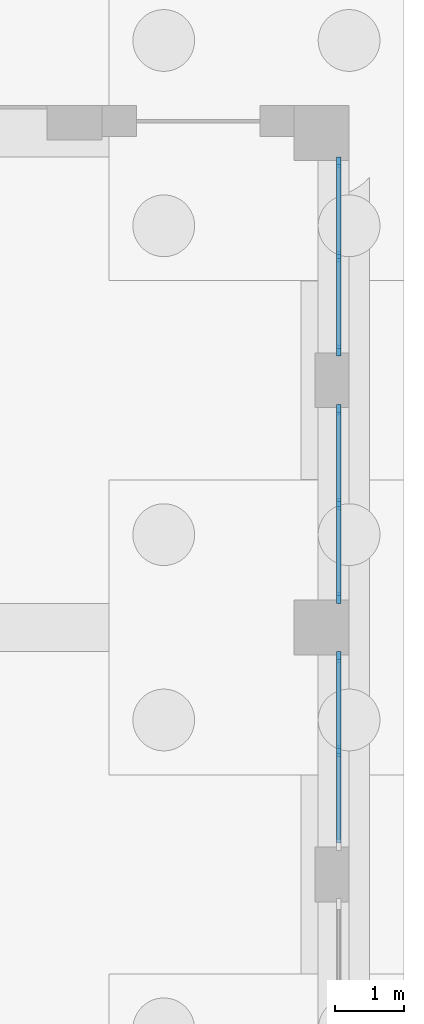
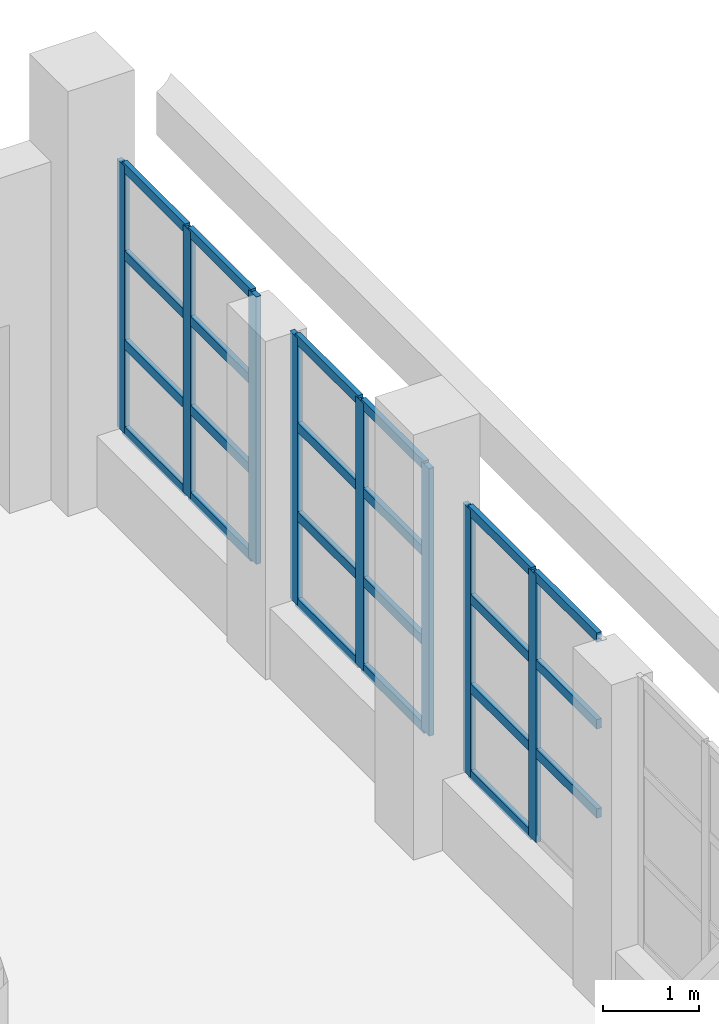
# One storey, part 19 of 80: 31 members, 3 elements without a shape of their own.
"""IFC4 building model written with IfcOpenShell, lengths in metres."""

import ifcopenshell
import ifcopenshell.guid

model = None  # the IFC model being written
_history = None  # IfcOwnerHistory: only IFC2X3 demands one
_inside = {}  # id of a spatial element -> (the spatial element, [elements in it])
_under = {}  # id of a project, library or spatial element -> (it, [spatial elements below it])
_declared = {}  # id of a project -> (the project, [libraries it declares])
_typed = {}  # id of a type object -> (the type object, [elements of that type])
_made_of = {}  # id of a material, layer set ... -> (it, [elements and type objects made of it])


def new_model(schema):
    """Start an empty IFC model of exactly this schema.

    Asked for "IFC4X3", IfcOpenShell would pick the latest addendum, in which some entities
    have other attributes; the version numbers below select the first issue.
    IFC2X3 requires an IfcOwnerHistory on every rooted entity: one is made here for all.
    """
    global model, _history
    if schema == "IFC4X3":
        model = ifcopenshell.file(schema_version=(4, 3, 0, 0))
    else:
        model = ifcopenshell.file(schema=schema)
    _inside.clear()
    _under.clear()
    _declared.clear()
    _typed.clear()
    _made_of.clear()
    _history = None
    if model.schema == "IFC2X3":
        org = make("IfcOrganization", Name="unknown")
        user = make(
            "IfcPersonAndOrganization",
            ThePerson=make("IfcPerson", FamilyName="unknown"),
            TheOrganization=org,
        )
        app = make(
            "IfcApplication",
            ApplicationDeveloper=org,
            Version="unknown",
            ApplicationFullName="unknown",
            ApplicationIdentifier="unknown",
        )
        _history = make(
            "IfcOwnerHistory",
            OwningUser=user,
            OwningApplication=app,
            ChangeAction="ADDED",
            CreationDate=0,
        )
    return model


def make(cls, **values):
    """One entity of the class cls with the attributes given. An attribute that is None is left unset."""
    return model.create_entity(
        cls, **{name: value for name, value in values.items() if value is not None}
    )


def rooted(cls, **values):
    """An entity with a GlobalId (a new one), such as an element, a storey or a relation."""
    return make(cls, GlobalId=ifcopenshell.guid.new(), OwnerHistory=_history, **values)


def si_unit(unit_type, name, prefix=None):
    """IfcSIUnit, for example si_unit("LENGTHUNIT", "METRE", prefix="MILLI")."""
    return make("IfcSIUnit", UnitType=unit_type, Prefix=prefix, Name=name)


def assignment(units):
    """IfcUnitAssignment: the units of a project."""
    return None if units is None else make("IfcUnitAssignment", Units=units)


def point(xyz):
    """IfcCartesianPoint."""
    return None if xyz is None else make("IfcCartesianPoint", Coordinates=xyz)


def direction(xyz):
    """IfcDirection."""
    return None if xyz is None else make("IfcDirection", DirectionRatios=xyz)


def frame(location, z_axis=None, x_axis=None):
    """IfcAxis2Placement3D, a coordinate frame: its origin and axes. An axis left out is left unset."""
    return make(
        "IfcAxis2Placement3D",
        Location=point(location),
        Axis=direction(z_axis),
        RefDirection=direction(x_axis),
    )


def frame_2d(location, x_axis=None):
    """IfcAxis2Placement2D, a coordinate frame in the plane: its origin and x axis."""
    return make(
        "IfcAxis2Placement2D", Location=point(location), RefDirection=direction(x_axis)
    )


def origin():
    """The frame at (0, 0, 0) with its axes left unset."""
    return frame((0.0, 0.0, 0.0))


def origin_2d():
    """The frame at (0, 0) in the plane with its x axis left unset."""
    return frame_2d((0.0, 0.0))


def place(relative_to, where):
    """IfcLocalPlacement: puts the frame where relative to a parent placement (None: the world)."""
    return make(
        "IfcLocalPlacement", PlacementRelTo=relative_to, RelativePlacement=where
    )


def context(
    kind, dimensions, precision=None, world=None, true_north=None, identifier=None
):
    """IfcGeometricRepresentationContext, for example the 3D "Model" context."""
    return make(
        "IfcGeometricRepresentationContext",
        ContextIdentifier=identifier,
        ContextType=kind,
        CoordinateSpaceDimension=dimensions,
        Precision=precision,
        WorldCoordinateSystem=world,
        TrueNorth=true_north,
    )


def subcontext(parent, identifier, kind, view, scale=None):
    """IfcGeometricRepresentationSubContext, for example "Body" below "Model"."""
    return make(
        "IfcGeometricRepresentationSubContext",
        ContextIdentifier=identifier,
        ContextType=kind,
        ParentContext=parent,
        TargetScale=scale,
        TargetView=view,
    )


def project(units=None, contexts=None):
    """IfcProject with its units and contexts."""
    return rooted(
        "IfcProject",
        Name="project",
        RepresentationContexts=contexts,
        UnitsInContext=assignment(units),
    )


def spatial(cls, under=None, at=None, **own):
    """A site, building, storey or space (cls), placed at a placement, below another one or the project."""
    s = rooted(cls, ObjectPlacement=at, **own)
    if under is not None:
        _under.setdefault(under.id(), (under, []))[1].append(s)
    return s


def profile(cls, at=None, kind="AREA", **sizes):
    """A parametric profile (cls). Its sizes go by their IFC names, for example OverallWidth=200.0."""
    return make(cls, ProfileType=kind, Position=at, **sizes)


def rectangle(**sizes):
    """IfcRectangleProfileDef."""
    return profile("IfcRectangleProfileDef", **sizes)


def extrude(swept, where, along, depth):
    """IfcExtrudedAreaSolid: the profile swept, set in the frame where, extruded along a direction by depth."""
    return make(
        "IfcExtrudedAreaSolid",
        SweptArea=swept,
        Position=where,
        ExtrudedDirection=direction(along),
        Depth=depth,
    )


def shape(context_of_items, identifier, shape_type, items):
    """IfcShapeRepresentation: the items that make up one representation, for example the "Body"."""
    return make(
        "IfcShapeRepresentation",
        ContextOfItems=context_of_items,
        RepresentationIdentifier=identifier,
        RepresentationType=shape_type,
        Items=items,
    )


def material(Name=None, Category=None):
    """IfcMaterial."""
    return make("IfcMaterial", Name=Name, Category=Category)


def layer(
    of_material, thickness, ventilated=None, Name=None, Category=None, Priority=None
):
    """IfcMaterialLayer: one layer of a wall or slab, of a material (None: an air gap)."""
    return make(
        "IfcMaterialLayer",
        Material=of_material,
        LayerThickness=thickness,
        IsVentilated=ventilated,
        Name=Name,
        Category=Category,
        Priority=Priority,
    )


def layer_set(layers, Name=None):
    """IfcMaterialLayerSet."""
    return make("IfcMaterialLayerSet", MaterialLayers=layers, LayerSetName=Name)


def material_profile(
    of_material, cross_section, Name=None, Category=None, Priority=None
):
    """IfcMaterialProfile: a cross section and its material."""
    return make(
        "IfcMaterialProfile",
        Name=Name,
        Material=of_material,
        Profile=cross_section,
        Priority=Priority,
        Category=Category,
    )


def profile_set(profiles, Name=None, composite=None):
    """IfcMaterialProfileSet."""
    return make(
        "IfcMaterialProfileSet",
        Name=Name,
        MaterialProfiles=profiles,
        CompositeProfile=composite,
    )


def made_of(thing, what):
    """Note that an element or type object is made of a material, layer set ...; save() writes the relation."""
    if what is not None:
        _made_of.setdefault(what.id(), (what, []))[1].append(thing)
    return thing


def type_object(cls, material=None, **own):
    """A type object (cls), such as IfcWallType, which elements share."""
    return made_of(rooted(cls, **own), material)


def element(
    cls,
    number,
    at=None,
    inside=None,
    cuts=None,
    type_object=None,
    material=None,
    context=None,
    identifier="Body",
    shape_type=None,
    held_by="IfcProductDefinitionShape",
    body=None,
    shapes=None,
    **own,
):
    """One element of the class cls, such as IfcWall. Its Tag is "e" and its number.

    at: its placement. inside: the storey or other place that contains it. cuts: it is an
    opening in that element (IfcRelVoidsElement). A single representation is given by context,
    identifier, shape_type and body (its items); several are given by shapes. held_by: the class
    of the entity that holds the representations. save() writes the other relations.
    """
    e = rooted(cls, Tag="e%d" % number, ObjectPlacement=at, **own)
    if body is not None:
        shapes = [shape(context, identifier, shape_type, body)]
    if shapes is not None:
        e.Representation = make(held_by, Representations=shapes)
    if inside is not None:
        _inside.setdefault(inside.id(), (inside, []))[1].append(e)
    if cuts is not None:
        rooted(
            "IfcRelVoidsElement", RelatingBuildingElement=cuts, RelatedOpeningElement=e
        )
    if type_object is not None:
        _typed.setdefault(type_object.id(), (type_object, []))[1].append(e)
    return made_of(e, material)


def aggregate(whole, parts):
    """IfcRelAggregates: a whole, such as a stair, and the parts it consists of."""
    return rooted("IfcRelAggregates", RelatingObject=whole, RelatedObjects=parts)


def save(model, path):
    """Write the relations noted so far, then the file.

    IfcRelAggregates (storeys below a building ...), IfcRelContainedInSpatialStructure (elements
    in a storey), IfcRelDefinesByType, IfcRelAssociatesMaterial and IfcRelDeclares: one each for
    every whole, place, type object, material and project.
    """
    for whole, parts in _under.values():
        aggregate(whole, parts)
    for where, things in _inside.values():
        rooted(
            "IfcRelContainedInSpatialStructure",
            RelatedElements=things,
            RelatingStructure=where,
        )
    for kind, things in _typed.values():
        rooted("IfcRelDefinesByType", RelatedObjects=things, RelatingType=kind)
    for what, things in _made_of.values():
        rooted("IfcRelAssociatesMaterial", RelatedObjects=things, RelatingMaterial=what)
    for by, libraries in _declared.values():
        rooted("IfcRelDeclares", RelatingContext=by, RelatedDefinitions=libraries)
    model.write(path)


model = new_model("IFC4")

# Units and contexts
model_context = context("Model", 3, precision=1e-05, world=origin(), true_north=direction((0.0, 1.0)))
body_context = subcontext(model_context, "Body", "Model", "MODEL_VIEW")
ifc_project = project(units=[si_unit("LENGTHUNIT", "METRE"), si_unit("AREAUNIT", "SQUARE_METRE"), si_unit("VOLUMEUNIT", "CUBIC_METRE"), si_unit("PLANEANGLEUNIT", "RADIAN"), si_unit("MASSUNIT", "GRAM", prefix="KILO")], contexts=[model_context])

# Site, building, storey
site_placement = place(None, origin())
site = spatial("IfcSite", under=ifc_project, at=site_placement, CompositionType="ELEMENT")
building_placement = place(site_placement, origin())
building = spatial("IfcBuilding", under=site, at=building_placement, Name="Ussher Court Research Institute", CompositionType="ELEMENT")
storey_placement = place(building_placement, origin())
storey = spatial("IfcBuildingStorey", under=building, at=storey_placement, Name="L00", CompositionType="ELEMENT", Elevation=0.0)

# Curtain wall, members
ifc_material_1 = material(Name="Bronze anodised aluminium with tinted glass", Category="aluminium")
ifc_layer = layer(ifc_material_1, 0.1201171875)
ifc_layer_set = layer_set([ifc_layer], Name="Bronze anodised aluminium with tinted glass")
curtain_wall_type = type_object("IfcCurtainWallType", Name="Curtain wall wet laboratory base storefront", PredefinedType="NOTDEFINED", material=ifc_layer_set)
curtain_wall_1_placement = place(storey_placement, origin())
curtain_wall_1 = element("IfcCurtainWall", 1, at=curtain_wall_1_placement, inside=storey, type_object=curtain_wall_type, Name="Curtain wall CW1 L00", PredefinedType="NOTDEFINED")
ifc_material_2 = material(Name="Bronze anodised aluminium", Category="aluminium")
ifc_material_profile_1 = material_profile(ifc_material_2, rectangle(XDim=0.06005859375, YDim=0.159912109375, at=origin_2d()), Name="Mullion 60x160")
ifc_profile_set_1 = profile_set([ifc_material_profile_1], Name="Bronze anodised aluminium")
member_type_1 = type_object("IfcMemberType", Name="Mullion 60x160", PredefinedType="MULLION", material=ifc_profile_set_1)
member_1_placement = place(storey_placement, frame((104.050048828125, 32.3701171875, 0.89990234375), z_axis=(0.0, 0.0, 1.0), x_axis=(1.0, 0.0, 0.0)))
member_1 = element("IfcMember", 2, at=member_1_placement, type_object=member_type_1, Name="CW1 mullion 1", PredefinedType="MULLION", context=body_context, shape_type="SweptSolid", body=[
    extrude(rectangle(XDim=0.06005859375, YDim=0.159912109375, at=origin_2d()), origin(), (0.0, 0.0, 1.0), 3.400146484375),
])
member_2_placement = place(storey_placement, frame((104.050048828125, 31.0, 0.89990234375), z_axis=(0.0, 0.0, 1.0), x_axis=(1.0, 0.0, 0.0)))
member_2 = element("IfcMember", 3, at=member_2_placement, type_object=member_type_1, Name="CW1 mullion 2", PredefinedType="MULLION", context=body_context, shape_type="SweptSolid", body=[
    extrude(rectangle(XDim=0.06005859375, YDim=0.159912109375, at=origin_2d()), origin(), (0.0, 0.0, 1.0), 3.400146484375),
])
member_3_placement = place(storey_placement, frame((104.050048828125, 29.6298828125, 0.89990234375), z_axis=(0.0, 0.0, 1.0), x_axis=(1.0, 0.0, 0.0)))
member_3 = element("IfcMember", 4, at=member_3_placement, type_object=member_type_1, Name="CW1 mullion 3", PredefinedType="MULLION", context=body_context, shape_type="SweptSolid", body=[
    extrude(rectangle(XDim=0.06005859375, YDim=0.159912109375, at=origin_2d()), origin(), (0.0, 0.0, 1.0), 3.400146484375),
])

curtain_wall_2_placement = place(storey_placement, origin())
curtain_wall_2 = element("IfcCurtainWall", 5, at=curtain_wall_2_placement, inside=storey, type_object=curtain_wall_type, Name="Curtain wall CW1 L00", PredefinedType="NOTDEFINED")
member_4_placement = place(storey_placement, frame((104.050048828125, 28.77001953125, 0.89990234375), z_axis=(0.0, 0.0, 1.0), x_axis=(1.0, 0.0, 0.0)))
member_4 = element("IfcMember", 6, at=member_4_placement, type_object=member_type_1, Name="CW1 mullion 1", PredefinedType="MULLION", context=body_context, shape_type="SweptSolid", body=[
    extrude(rectangle(XDim=0.06005859375, YDim=0.159912109375, at=origin_2d()), origin(), (0.0, 0.0, 1.0), 3.400146484375),
])
member_5_placement = place(storey_placement, frame((104.050048828125, 27.39990234375, 0.89990234375), z_axis=(0.0, 0.0, 1.0), x_axis=(1.0, 0.0, 0.0)))
member_5 = element("IfcMember", 7, at=member_5_placement, type_object=member_type_1, Name="CW1 mullion 2", PredefinedType="MULLION", context=body_context, shape_type="SweptSolid", body=[
    extrude(rectangle(XDim=0.06005859375, YDim=0.159912109375, at=origin_2d()), origin(), (0.0, 0.0, 1.0), 3.400146484375),
])
member_6_placement = place(storey_placement, frame((104.050048828125, 26.030029296875, 0.89990234375), z_axis=(0.0, 0.0, 1.0), x_axis=(1.0, 0.0, 0.0)))
member_6 = element("IfcMember", 8, at=member_6_placement, type_object=member_type_1, Name="CW1 mullion 3", PredefinedType="MULLION", context=body_context, shape_type="SweptSolid", body=[
    extrude(rectangle(XDim=0.06005859375, YDim=0.159912109375, at=origin_2d()), origin(), (0.0, 0.0, 1.0), 3.400146484375),
])

curtain_wall_3_placement = place(storey_placement, origin())
curtain_wall_3 = element("IfcCurtainWall", 9, at=curtain_wall_3_placement, inside=storey, type_object=curtain_wall_type, Name="Curtain wall CW1 L00", PredefinedType="NOTDEFINED")
member_7_placement = place(storey_placement, frame((104.050048828125, 25.169921875, 0.89990234375), z_axis=(0.0, 0.0, 1.0), x_axis=(1.0, 0.0, 0.0)))
member_7 = element("IfcMember", 10, at=member_7_placement, type_object=member_type_1, Name="CW1 mullion 1", PredefinedType="MULLION", context=body_context, shape_type="SweptSolid", body=[
    extrude(rectangle(XDim=0.06005859375, YDim=0.159912109375, at=origin_2d()), origin(), (0.0, 0.0, 1.0), 3.400146484375),
])
member_8_placement = place(storey_placement, frame((104.050048828125, 23.800048828125, 0.89990234375), z_axis=(0.0, 0.0, 1.0), x_axis=(1.0, 0.0, 0.0)))
member_8 = element("IfcMember", 11, at=member_8_placement, type_object=member_type_1, Name="CW1 mullion 2", PredefinedType="MULLION", context=body_context, shape_type="SweptSolid", body=[
    extrude(rectangle(XDim=0.06005859375, YDim=0.159912109375, at=origin_2d()), origin(), (0.0, 0.0, 1.0), 3.400146484375),
])

# Member
ifc_material_3 = material(Name="Bronze anodised aluminium", Category="aluminium")
ifc_material_profile_2 = material_profile(ifc_material_3, rectangle(XDim=0.06005859375, YDim=0.1201171875, at=origin_2d()), Name="Transom 60x120")
ifc_profile_set_2 = profile_set([ifc_material_profile_2], Name="Bronze anodised aluminium")
member_type_2 = type_object("IfcMemberType", Name="Transom 60x120", PredefinedType="USERDEFINED", material=ifc_profile_set_2)
member_9_placement = place(storey_placement, frame((104.050048828125, 32.340087890625, 0.929931640625), z_axis=(0.0, -1.0, 0.0), x_axis=(1.0, 0.0, 0.0)))
member_9 = element("IfcMember", 12, at=member_9_placement, type_object=member_type_2, Name="CW1 transom 1.1", ObjectType="TRANSOM", PredefinedType="USERDEFINED", context=body_context, shape_type="SweptSolid", body=[
    extrude(rectangle(XDim=0.06005859375, YDim=0.1201171875, at=origin_2d()), origin(), (0.0, 0.0, 1.0), 1.31005859375),
])

member_10_placement = place(storey_placement, frame((104.050048828125, 32.340087890625, 2.033203125), z_axis=(0.0, -1.0, 0.0), x_axis=(1.0, 0.0, 0.0)))
member_10 = element("IfcMember", 13, at=member_10_placement, type_object=member_type_2, Name="CW1 transom 1.2", ObjectType="TRANSOM", PredefinedType="USERDEFINED", context=body_context, shape_type="SweptSolid", body=[
    extrude(rectangle(XDim=0.06005859375, YDim=0.1201171875, at=origin_2d()), origin(), (0.0, 0.0, 1.0), 1.31005859375),
])

member_11_placement = place(storey_placement, frame((104.050048828125, 32.340087890625, 3.166748046875), z_axis=(0.0, -1.0, 0.0), x_axis=(1.0, 0.0, 0.0)))
member_11 = element("IfcMember", 14, at=member_11_placement, type_object=member_type_2, Name="CW1 transom 1.3", ObjectType="TRANSOM", PredefinedType="USERDEFINED", context=body_context, shape_type="SweptSolid", body=[
    extrude(rectangle(XDim=0.06005859375, YDim=0.1201171875, at=origin_2d()), origin(), (0.0, 0.0, 1.0), 1.31005859375),
])

member_12_placement = place(storey_placement, frame((104.050048828125, 32.340087890625, 4.27001953125), z_axis=(0.0, -1.0, 0.0), x_axis=(1.0, 0.0, 0.0)))
member_12 = element("IfcMember", 15, at=member_12_placement, type_object=member_type_2, Name="CW1 transom 1.4", ObjectType="TRANSOM", PredefinedType="USERDEFINED", context=body_context, shape_type="SweptSolid", body=[
    extrude(rectangle(XDim=0.06005859375, YDim=0.1201171875, at=origin_2d()), origin(), (0.0, 0.0, 1.0), 1.31005859375),
])

member_13_placement = place(storey_placement, frame((104.050048828125, 30.969970703125, 0.929931640625), z_axis=(0.0, -1.0, 0.0), x_axis=(1.0, 0.0, 0.0)))
member_13 = element("IfcMember", 16, at=member_13_placement, type_object=member_type_2, Name="CW1 transom 2.1", ObjectType="TRANSOM", PredefinedType="USERDEFINED", context=body_context, shape_type="SweptSolid", body=[
    extrude(rectangle(XDim=0.06005859375, YDim=0.1201171875, at=origin_2d()), origin(), (0.0, 0.0, 1.0), 1.31005859375),
])

member_14_placement = place(storey_placement, frame((104.050048828125, 30.969970703125, 2.033203125), z_axis=(0.0, -1.0, 0.0), x_axis=(1.0, 0.0, 0.0)))
member_14 = element("IfcMember", 17, at=member_14_placement, type_object=member_type_2, Name="CW1 transom 2.2", ObjectType="TRANSOM", PredefinedType="USERDEFINED", context=body_context, shape_type="SweptSolid", body=[
    extrude(rectangle(XDim=0.06005859375, YDim=0.1201171875, at=origin_2d()), origin(), (0.0, 0.0, 1.0), 1.31005859375),
])

member_15_placement = place(storey_placement, frame((104.050048828125, 30.969970703125, 3.166748046875), z_axis=(0.0, -1.0, 0.0), x_axis=(1.0, 0.0, 0.0)))
member_15 = element("IfcMember", 18, at=member_15_placement, type_object=member_type_2, Name="CW1 transom 2.3", ObjectType="TRANSOM", PredefinedType="USERDEFINED", context=body_context, shape_type="SweptSolid", body=[
    extrude(rectangle(XDim=0.06005859375, YDim=0.1201171875, at=origin_2d()), origin(), (0.0, 0.0, 1.0), 1.31005859375),
])

member_16_placement = place(storey_placement, frame((104.050048828125, 30.969970703125, 4.27001953125), z_axis=(0.0, -1.0, 0.0), x_axis=(1.0, 0.0, 0.0)))
member_16 = element("IfcMember", 19, at=member_16_placement, type_object=member_type_2, Name="CW1 transom 2.4", ObjectType="TRANSOM", PredefinedType="USERDEFINED", context=body_context, shape_type="SweptSolid", body=[
    extrude(rectangle(XDim=0.06005859375, YDim=0.1201171875, at=origin_2d()), origin(), (0.0, 0.0, 1.0), 1.31005859375),
])

aggregate(curtain_wall_1, [member_1, member_2, member_3, member_9, member_10, member_11, member_12, member_13, member_14, member_15, member_16])

member_17_placement = place(storey_placement, frame((104.050048828125, 28.739990234375, 0.929931640625), z_axis=(0.0, -1.0, 0.0), x_axis=(1.0, 0.0, 0.0)))
member_17 = element("IfcMember", 20, at=member_17_placement, type_object=member_type_2, Name="CW1 transom 1.1", ObjectType="TRANSOM", PredefinedType="USERDEFINED", context=body_context, shape_type="SweptSolid", body=[
    extrude(rectangle(XDim=0.06005859375, YDim=0.1201171875, at=origin_2d()), origin(), (0.0, 0.0, 1.0), 1.31005859375),
])

member_18_placement = place(storey_placement, frame((104.050048828125, 28.739990234375, 2.033203125), z_axis=(0.0, -1.0, 0.0), x_axis=(1.0, 0.0, 0.0)))
member_18 = element("IfcMember", 21, at=member_18_placement, type_object=member_type_2, Name="CW1 transom 1.2", ObjectType="TRANSOM", PredefinedType="USERDEFINED", context=body_context, shape_type="SweptSolid", body=[
    extrude(rectangle(XDim=0.06005859375, YDim=0.1201171875, at=origin_2d()), origin(), (0.0, 0.0, 1.0), 1.31005859375),
])

member_19_placement = place(storey_placement, frame((104.050048828125, 28.739990234375, 3.166748046875), z_axis=(0.0, -1.0, 0.0), x_axis=(1.0, 0.0, 0.0)))
member_19 = element("IfcMember", 22, at=member_19_placement, type_object=member_type_2, Name="CW1 transom 1.3", ObjectType="TRANSOM", PredefinedType="USERDEFINED", context=body_context, shape_type="SweptSolid", body=[
    extrude(rectangle(XDim=0.06005859375, YDim=0.1201171875, at=origin_2d()), origin(), (0.0, 0.0, 1.0), 1.31005859375),
])

member_20_placement = place(storey_placement, frame((104.050048828125, 28.739990234375, 4.27001953125), z_axis=(0.0, -1.0, 0.0), x_axis=(1.0, 0.0, 0.0)))
member_20 = element("IfcMember", 23, at=member_20_placement, type_object=member_type_2, Name="CW1 transom 1.4", ObjectType="TRANSOM", PredefinedType="USERDEFINED", context=body_context, shape_type="SweptSolid", body=[
    extrude(rectangle(XDim=0.06005859375, YDim=0.1201171875, at=origin_2d()), origin(), (0.0, 0.0, 1.0), 1.31005859375),
])

member_21_placement = place(storey_placement, frame((104.050048828125, 27.3701171875, 0.929931640625), z_axis=(0.0, -1.0, 0.0), x_axis=(1.0, 0.0, 0.0)))
member_21 = element("IfcMember", 24, at=member_21_placement, type_object=member_type_2, Name="CW1 transom 2.1", ObjectType="TRANSOM", PredefinedType="USERDEFINED", context=body_context, shape_type="SweptSolid", body=[
    extrude(rectangle(XDim=0.06005859375, YDim=0.1201171875, at=origin_2d()), origin(), (0.0, 0.0, 1.0), 1.31005859375),
])

member_22_placement = place(storey_placement, frame((104.050048828125, 27.3701171875, 2.033203125), z_axis=(0.0, -1.0, 0.0), x_axis=(1.0, 0.0, 0.0)))
member_22 = element("IfcMember", 25, at=member_22_placement, type_object=member_type_2, Name="CW1 transom 2.2", ObjectType="TRANSOM", PredefinedType="USERDEFINED", context=body_context, shape_type="SweptSolid", body=[
    extrude(rectangle(XDim=0.06005859375, YDim=0.1201171875, at=origin_2d()), origin(), (0.0, 0.0, 1.0), 1.31005859375),
])

member_23_placement = place(storey_placement, frame((104.050048828125, 27.3701171875, 3.166748046875), z_axis=(0.0, -1.0, 0.0), x_axis=(1.0, 0.0, 0.0)))
member_23 = element("IfcMember", 26, at=member_23_placement, type_object=member_type_2, Name="CW1 transom 2.3", ObjectType="TRANSOM", PredefinedType="USERDEFINED", context=body_context, shape_type="SweptSolid", body=[
    extrude(rectangle(XDim=0.06005859375, YDim=0.1201171875, at=origin_2d()), origin(), (0.0, 0.0, 1.0), 1.31005859375),
])

member_24_placement = place(storey_placement, frame((104.050048828125, 27.3701171875, 4.27001953125), z_axis=(0.0, -1.0, 0.0), x_axis=(1.0, 0.0, 0.0)))
member_24 = element("IfcMember", 27, at=member_24_placement, type_object=member_type_2, Name="CW1 transom 2.4", ObjectType="TRANSOM", PredefinedType="USERDEFINED", context=body_context, shape_type="SweptSolid", body=[
    extrude(rectangle(XDim=0.06005859375, YDim=0.1201171875, at=origin_2d()), origin(), (0.0, 0.0, 1.0), 1.31005859375),
])

aggregate(curtain_wall_2, [member_4, member_5, member_6, member_17, member_18, member_19, member_20, member_21, member_22, member_23, member_24])

member_25_placement = place(storey_placement, frame((104.050048828125, 25.139892578125, 0.929931640625), z_axis=(0.0, -1.0, 0.0), x_axis=(1.0, 0.0, 0.0)))
member_25 = element("IfcMember", 28, at=member_25_placement, type_object=member_type_2, Name="CW1 transom 1.1", ObjectType="TRANSOM", PredefinedType="USERDEFINED", context=body_context, shape_type="SweptSolid", body=[
    extrude(rectangle(XDim=0.06005859375, YDim=0.1201171875, at=origin_2d()), origin(), (0.0, 0.0, 1.0), 1.309814453125),
])

member_26_placement = place(storey_placement, frame((104.050048828125, 25.139892578125, 2.033203125), z_axis=(0.0, -1.0, 0.0), x_axis=(1.0, 0.0, 0.0)))
member_26 = element("IfcMember", 29, at=member_26_placement, type_object=member_type_2, Name="CW1 transom 1.2", ObjectType="TRANSOM", PredefinedType="USERDEFINED", context=body_context, shape_type="SweptSolid", body=[
    extrude(rectangle(XDim=0.06005859375, YDim=0.1201171875, at=origin_2d()), origin(), (0.0, 0.0, 1.0), 1.309814453125),
])

member_27_placement = place(storey_placement, frame((104.050048828125, 25.139892578125, 3.166748046875), z_axis=(0.0, -1.0, 0.0), x_axis=(1.0, 0.0, 0.0)))
member_27 = element("IfcMember", 30, at=member_27_placement, type_object=member_type_2, Name="CW1 transom 1.3", ObjectType="TRANSOM", PredefinedType="USERDEFINED", context=body_context, shape_type="SweptSolid", body=[
    extrude(rectangle(XDim=0.06005859375, YDim=0.1201171875, at=origin_2d()), origin(), (0.0, 0.0, 1.0), 1.309814453125),
])

member_28_placement = place(storey_placement, frame((104.050048828125, 25.139892578125, 4.27001953125), z_axis=(0.0, -1.0, 0.0), x_axis=(1.0, 0.0, 0.0)))
member_28 = element("IfcMember", 31, at=member_28_placement, type_object=member_type_2, Name="CW1 transom 1.4", ObjectType="TRANSOM", PredefinedType="USERDEFINED", context=body_context, shape_type="SweptSolid", body=[
    extrude(rectangle(XDim=0.06005859375, YDim=0.1201171875, at=origin_2d()), origin(), (0.0, 0.0, 1.0), 1.309814453125),
])

member_29_placement = place(storey_placement, frame((104.050048828125, 23.77001953125, 2.033203125), z_axis=(0.0, -1.0, 0.0), x_axis=(1.0, 0.0, 0.0)))
member_29 = element("IfcMember", 32, at=member_29_placement, type_object=member_type_2, Name="CW1 transom 2.2", ObjectType="TRANSOM", PredefinedType="USERDEFINED", context=body_context, shape_type="SweptSolid", body=[
    extrude(rectangle(XDim=0.06005859375, YDim=0.1201171875, at=origin_2d()), origin(), (0.0, 0.0, 1.0), 1.31005859375),
])

member_30_placement = place(storey_placement, frame((104.050048828125, 23.77001953125, 3.166748046875), z_axis=(0.0, -1.0, 0.0), x_axis=(1.0, 0.0, 0.0)))
member_30 = element("IfcMember", 33, at=member_30_placement, type_object=member_type_2, Name="CW1 transom 2.3", ObjectType="TRANSOM", PredefinedType="USERDEFINED", context=body_context, shape_type="SweptSolid", body=[
    extrude(rectangle(XDim=0.06005859375, YDim=0.1201171875, at=origin_2d()), origin(), (0.0, 0.0, 1.0), 1.31005859375),
])

member_31_placement = place(storey_placement, frame((104.050048828125, 23.77001953125, 4.27001953125), z_axis=(0.0, -1.0, 0.0), x_axis=(1.0, 0.0, 0.0)))
member_31 = element("IfcMember", 34, at=member_31_placement, type_object=member_type_2, Name="CW1 transom 2.4", ObjectType="TRANSOM", PredefinedType="USERDEFINED", context=body_context, shape_type="SweptSolid", body=[
    extrude(rectangle(XDim=0.06005859375, YDim=0.1201171875, at=origin_2d()), origin(), (0.0, 0.0, 1.0), 1.31005859375),
])

aggregate(curtain_wall_3, [member_7, member_8, member_25, member_26, member_27, member_28, member_29, member_30, member_31])

save(model, "model.ifc")
